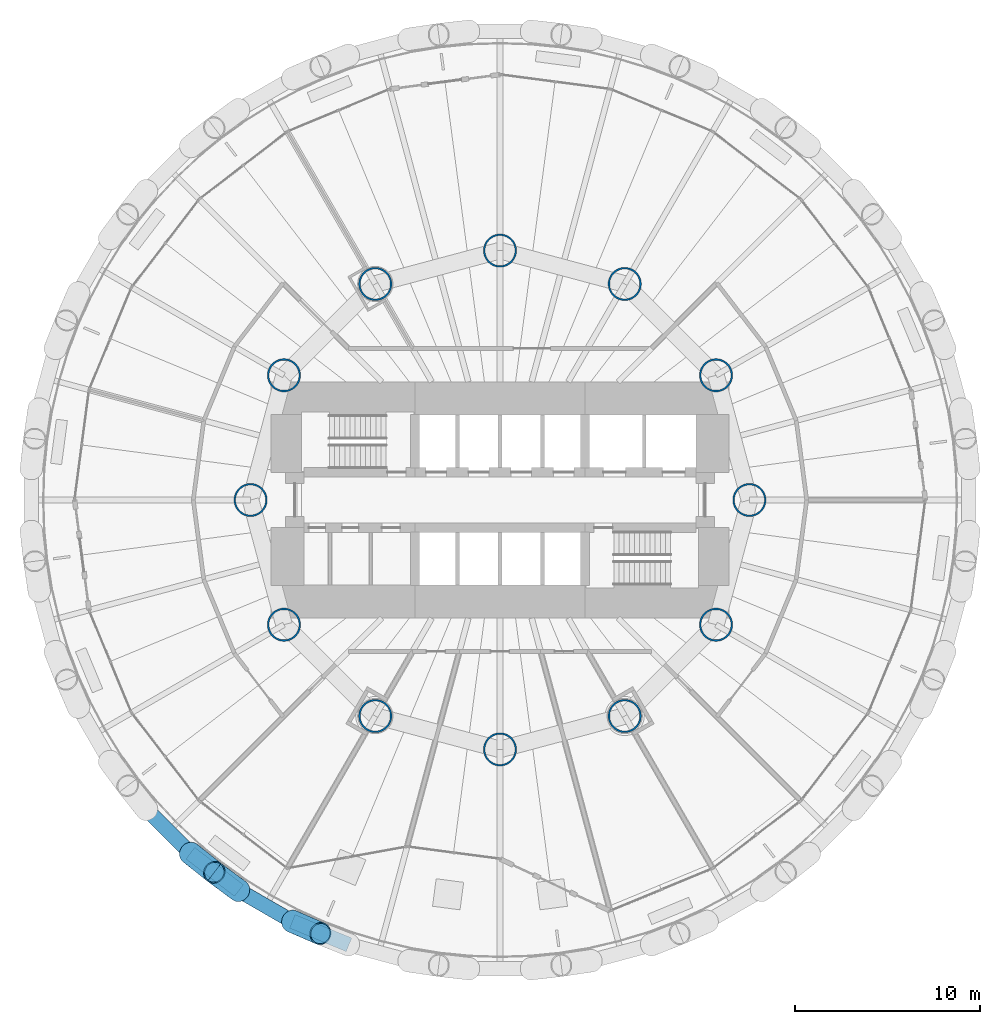
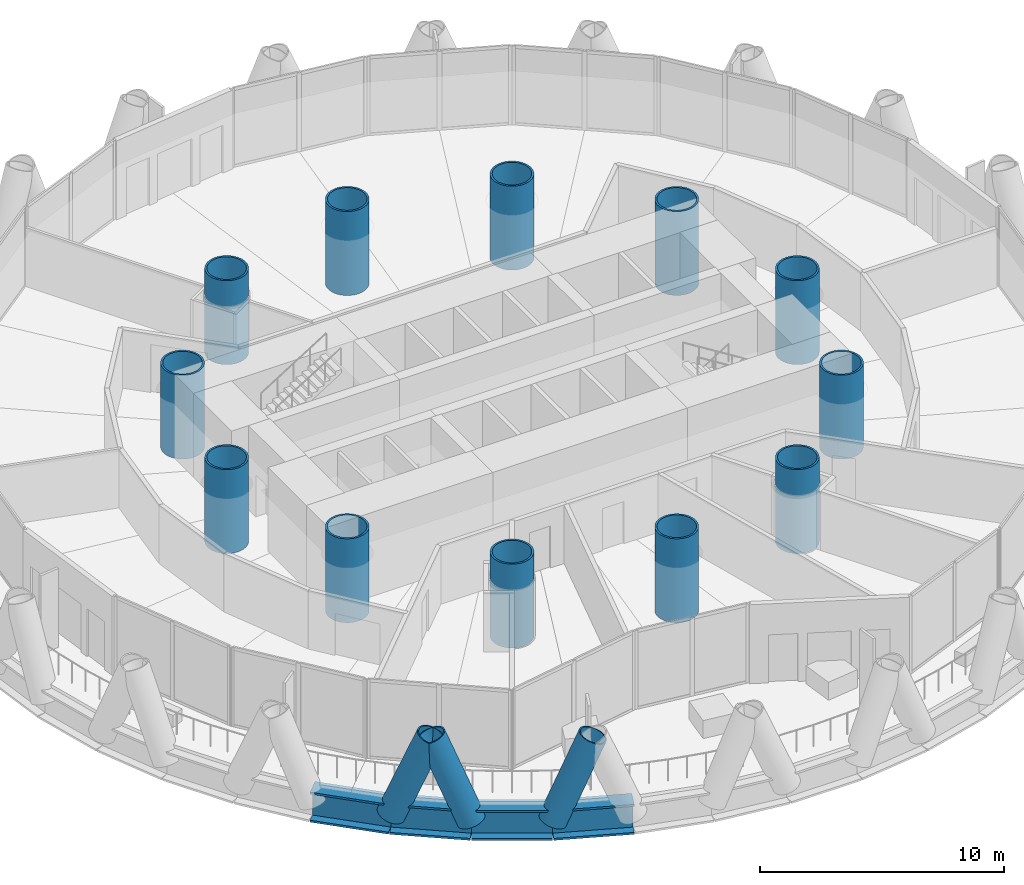
# One storey, part 1 of 15: 12 columns, 4 beams, 3 members.
"""IFC4 building model written with IfcOpenShell, lengths in metres."""

from ifc_helpers import new_model, si_unit, direction, frame, origin, origin_2d, place, context, subcontext, project, spatial, hollow_circle, i_section, extrude, material, material_profile, profile_set, type_object, element, save


model = new_model("IFC4")

# Units and contexts
model_context = context("Model", 3, precision=1e-05, world=origin(), true_north=direction((0.0, 1.0)))
body_context = subcontext(model_context, "Body", "Model", "MODEL_VIEW")
ifc_project = project(units=[si_unit("LENGTHUNIT", "METRE"), si_unit("AREAUNIT", "SQUARE_METRE"), si_unit("VOLUMEUNIT", "CUBIC_METRE"), si_unit("PLANEANGLEUNIT", "RADIAN"), si_unit("MASSUNIT", "GRAM", prefix="KILO")], contexts=[model_context])

# Site, building, storey
site_placement = place(None, origin())
site = spatial("IfcSite", under=ifc_project, at=site_placement, CompositionType="ELEMENT")
building_placement = place(site_placement, origin())
building = spatial("IfcBuilding", under=site, at=building_placement, Name="Qaws Media Tower", CompositionType="ELEMENT")
storey_placement = place(building_placement, frame((0.0, 0.0, 97.39990234375)))
storey = spatial("IfcBuildingStorey", under=building, at=storey_placement, Name="L21", CompositionType="ELEMENT", Elevation=97.39990234375)

# Columns
ifc_material_1 = material(Name="Steel S460", Category="steel")
ifc_material_profile_1 = material_profile(ifc_material_1, hollow_circle(Radius=0.89990234375, WallThickness=0.090087890625, at=origin_2d()), Name="CHS 1800x90")
ifc_profile_set_1 = profile_set([ifc_material_profile_1], Name="Steel S460")
column_type = type_object("IfcColumnType", Name="Inner column CHS 1800x90", PredefinedType="COLUMN", material=ifc_profile_set_1)
for number, where, z_axis, x_axis, name in (
    (1, (73.5, 50.0, 0.0), (0.0, 0.0, 1.0), (1.0, 0.0, 0.0), "C7 inner column I01 L21"),
    (2, (71.69140625, 56.75, 0.0), (0.0, 0.0, 1.0), (1.0, 0.0, 0.0), "C7 inner column I02 L21"),
    (3, (66.75, 61.69140625, 0.0), (0.0, 0.0, 1.0), (1.0, 0.0, 0.0), "C7 inner column I03 L21"),
    (4, (60.0, 63.5, 0.0), (0.0, 0.0, 1.0), (1.0, 0.0, 0.0), "C7 inner column I04 L21"),
    (5, (53.25, 61.69140625, 0.0), (0.0, 0.0, 1.0), (1.0, 0.0, 0.0), "C7 inner column I05 L21"),
    (6, (48.30859375, 56.75, 0.0), (0.0, 0.0, 1.0), (1.0, 0.0, 0.0), "C7 inner column I06 L21"),
    (7, (46.5, 50.0, 0.0), (0.0, 0.0, 1.0), (1.0, 0.0, 0.0), "C7 inner column I07 L21"),
    (8, (48.30859375, 43.25, 0.0), (0.0, 0.0, 1.0), (1.0, 0.0, 0.0), "C7 inner column I08 L21"),
    (9, (53.25, 38.30859375, 0.0), (0.0, 0.0, 1.0), (1.0, 0.0, 0.0), "C7 inner column I09 L21"),
    (10, (60.0, 36.5, 0.0), (0.0, 0.0, 1.0), (1.0, 0.0, 0.0), "C7 inner column I10 L21"),
    (11, (66.75, 38.30859375, 0.0), (0.0, 0.0, 1.0), (1.0, 0.0, 0.0), "C7 inner column I11 L21"),
    (12, (71.69140625, 43.25, 0.0), (0.0, 0.0, 1.0), (1.0, 0.0, 0.0), "C7 inner column I12 L21"),
):
    element("IfcColumn", number, at=place(storey_placement, frame(where, z_axis=z_axis, x_axis=x_axis)), inside=storey, type_object=column_type, Name=name, PredefinedType="COLUMN", context=body_context, shape_type="SweptSolid", body=[
        extrude(hollow_circle(Radius=0.89990234375, WallThickness=0.090087890625, at=origin_2d()), origin(), (0.0, 0.0, 1.0), 4.2001953125),
    ])

# Members
ifc_material_2 = material(Name="Steel S460", Category="steel")
ifc_material_profile_2 = material_profile(ifc_material_2, hollow_circle(Radius=0.609619140625, WallThickness=0.06005859375, at=origin_2d()), Name="CHS 1219x60")
ifc_profile_set_2 = profile_set([ifc_material_profile_2], Name="Steel S460")
member_type = type_object("IfcMemberType", Name="Diagrid member CHS 1219x60", PredefinedType="USERDEFINED", material=ifc_profile_set_2)
for number, where, z_axis, x_axis, name in (
    (13, (43.236083984375, 30.884521484375, -0.909912109375), (0.293486589655, -0.233577882424, 0.926988130741), (0.622723798453, 0.782441736387, 0.0), "DG1 diagrid L21 A16"),
    (14, (48.7548828125, 27.197021484375, -0.909912109375), (0.343926220304, -0.149662418634, 0.926992942495), (0.399015967171, 0.916943977538, 0.0), "DG1 diagrid L21 A17"),
    (15, (45.87451171875, 28.85986328125, -0.909912109375), (-0.301578739488, 0.223059242955, 0.926981573723), (-0.594655183188, -0.803980853695, 0.0), "DG1 diagrid L21 B17"),
):
    element("IfcMember", number, at=place(storey_placement, frame(where, z_axis=z_axis, x_axis=x_axis)), inside=storey, type_object=member_type, Name=name, ObjectType="DIAGRID", PredefinedType="USERDEFINED", context=body_context, shape_type="SweptSolid", body=[
        extrude(hollow_circle(Radius=0.609619140625, WallThickness=0.06005859375, at=origin_2d()), origin(), (0.0, 0.0, 1.0), 4.433837890625),
    ])

# Beams
ifc_material_3 = material(Name="Steel S460", Category="steel")
ifc_material_profile_3 = material_profile(ifc_material_3, i_section(OverallWidth=0.800048828125, OverallDepth=1.5, WebThickness=0.0400390625, FlangeThickness=0.10009765625, at=origin_2d()), Name="PG 1500x800")
ifc_profile_set_3 = profile_set([ifc_material_profile_3], Name="Steel S460")
beam_type = type_object("IfcBeamType", Name="Edge ring beam PG 1500x800", PredefinedType="BEAM", material=ifc_profile_set_3)
for number, where, z_axis, x_axis, name in (
    (16, (40.884521484375, 33.236083984375, -0.909912109375), (0.707106781187, -0.707106781187, 0.0), (0.707106781187, 0.707106781187, 0.0), "RB7 edge ring beam L21-30"),
    (17, (43.236083984375, 30.884521484375, -0.909912109375), (0.793335710763, -0.608784403568, 0.0), (0.608784403568, 0.793335710763, 0.0), "RB7 edge ring beam L21-31"),
):
    element("IfcBeam", number, at=place(storey_placement, frame(where, z_axis=z_axis, x_axis=x_axis)), inside=storey, type_object=beam_type, Name=name, PredefinedType="BEAM", context=body_context, shape_type="SweptSolid", body=[
        extrude(i_section(OverallWidth=0.800048828125, OverallDepth=1.5, WebThickness=0.0400390625, FlangeThickness=0.10009765625, at=origin_2d()), origin(), (0.0, 0.0, 1.0), 3.32568359375),
    ])
beam_1_placement = place(storey_placement, frame((45.87451171875, 28.85986328125, -0.909912109375), z_axis=(0.866043790474, -0.499968151968, 0.0), x_axis=(0.499968151968, 0.866043790474, 0.0)))
element("IfcBeam", 18, at=beam_1_placement, inside=storey, type_object=beam_type, Name="RB7 edge ring beam L21-32", PredefinedType="BEAM", context=body_context, shape_type="SweptSolid", body=[
    extrude(i_section(OverallWidth=0.800048828125, OverallDepth=1.5, WebThickness=0.0400390625, FlangeThickness=0.10009765625, at=origin_2d()), origin(), (0.0, 0.0, 1.0), 3.325927734375),
])
beam_2_placement = place(storey_placement, frame((48.7548828125, 27.197021484375, -0.909912109375), z_axis=(0.923876357767, -0.382691096785, 0.0), x_axis=(0.382691096785, 0.923876357767, 0.0)))
element("IfcBeam", 19, at=beam_2_placement, inside=storey, type_object=beam_type, Name="RB7 edge ring beam L21-33", PredefinedType="BEAM", context=body_context, shape_type="SweptSolid", body=[
    extrude(i_section(OverallWidth=0.800048828125, OverallDepth=1.5, WebThickness=0.0400390625, FlangeThickness=0.10009765625, at=origin_2d()), origin(), (0.0, 0.0, 1.0), 3.32568359375),
])

save(model, "model.ifc")
